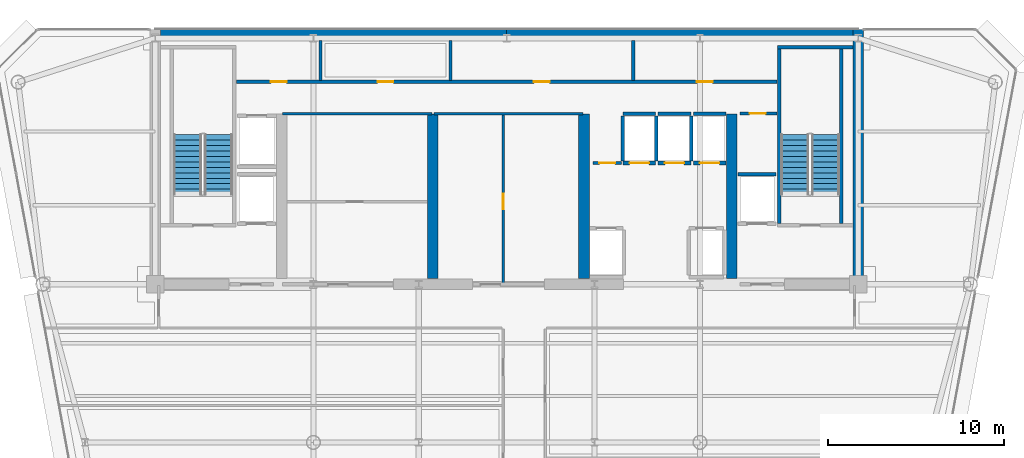
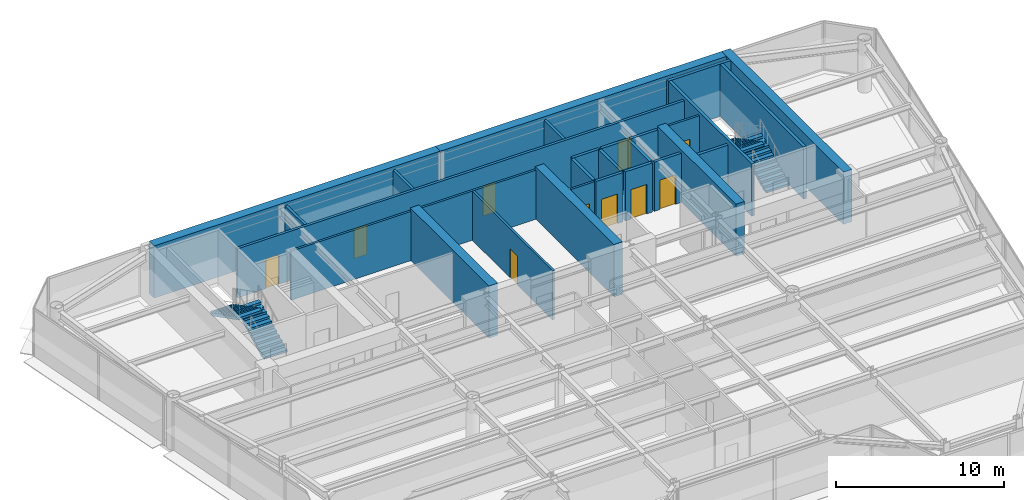
# One storey, part 12 of 16: 28 walls, 10 doors, 4 stair flights, 10 openings, 2 elements without a shape of their own.
"""IFC4 building model written with IfcOpenShell, lengths in metres."""

from ifc_helpers import new_model, si_unit, direction, frame, frame_2d, origin, place, context, subcontext, project, spatial, polyline, rectangle, outline, extrude, source, transform, mapped, material, layer, layer_set, type_object, element, fill, aggregate, save


model = new_model("IFC4")

# Units and contexts
model_context = context("Model", 3, precision=1e-05, world=origin(), true_north=direction((0.0, 1.0)))
body_context = subcontext(model_context, "Body", "Model", "MODEL_VIEW")
ifc_project = project(units=[si_unit("LENGTHUNIT", "METRE"), si_unit("AREAUNIT", "SQUARE_METRE"), si_unit("VOLUMEUNIT", "CUBIC_METRE"), si_unit("PLANEANGLEUNIT", "RADIAN"), si_unit("MASSUNIT", "GRAM", prefix="KILO")], contexts=[model_context])

# Site, building, storey
site_placement = place(None, origin())
site = spatial("IfcSite", under=ifc_project, at=site_placement, CompositionType="ELEMENT")
building_placement = place(site_placement, origin())
building = spatial("IfcBuilding", under=site, at=building_placement, Name="Vaeldorn Concourse Tower", CompositionType="ELEMENT")
storey_placement = place(building_placement, frame((0.0, 0.0, 223.199951171875)))
storey = spatial("IfcBuildingStorey", under=building, at=storey_placement, Name="L57", CompositionType="ELEMENT", Elevation=223.199951171875)

# Walls
ifc_material_1 = material(Name="Concrete C50/60", Category="concrete")
ifc_layer_1 = layer(ifc_material_1, 0.60009765625)
ifc_layer_set_1 = layer_set([ifc_layer_1], Name="Concrete C50/60")
wall_type_1 = type_object("IfcWallType", Name="WL-CORE-600", PredefinedType="SHEAR", material=ifc_layer_set_1)
for number, where, z_axis, x_axis, name in (
    (1, (14.303955078125, 50.699951171875, 0.0), (0.0, 0.0, 1.0), (1.0, 0.0, 0.0), "Rear Core Shear Wall L57 N1"),
    (2, (34.001953125, 50.699951171875, 0.0), (0.0, 0.0, 1.0), (1.0, 0.0, 0.0), "Rear Core Shear Wall L57 N2"),
):
    element("IfcWall", number, at=place(storey_placement, frame(where, z_axis=z_axis, x_axis=x_axis)), inside=storey, type_object=wall_type_1, Name=name, PredefinedType="SHEAR", context=body_context, shape_type="SweptSolid", body=[
        extrude(rectangle(XDim=19.694091796875, YDim=0.60009765625, at=frame_2d((9.84716796875, 0.0))), origin(), (0.0, 0.0, 1.0), 3.800048828125),
    ])
wall_1_placement = place(storey_placement, frame((54.0, 36.5, 0.0), z_axis=(0.0, 0.0, 1.0), x_axis=(0.0, 1.0, 0.0)))
element("IfcWall", 3, at=wall_1_placement, inside=storey, type_object=wall_type_1, Name="Rear Core Shear Wall L57 E1", PredefinedType="SHEAR", context=body_context, shape_type="SweptSolid", body=[
    extrude(rectangle(XDim=14.5, YDim=0.60009765625, at=frame_2d((7.25, 0.0))), origin(), (0.0, 0.0, 1.0), 3.800048828125),
])
for number, where, z_axis, x_axis, name in (
    (4, (29.800048828125, 36.820068359375, 0.0), (0.0, 0.0, 1.0), (0.0, 1.0, 0.0), "Rear Core Shear Wall L57 M2"),
    (5, (38.39990234375, 36.820068359375, 0.0), (0.0, 0.0, 1.0), (0.0, 1.0, 0.0), "Rear Core Shear Wall L57 M3"),
    (6, (46.800048828125, 36.820068359375, 0.0), (0.0, 0.0, 1.0), (0.0, 1.0, 0.0), "Rear Core Shear Wall L57 M4"),
):
    element("IfcWall", number, at=place(storey_placement, frame(where, z_axis=z_axis, x_axis=x_axis)), inside=storey, type_object=wall_type_1, Name=name, PredefinedType="SHEAR", context=body_context, shape_type="SweptSolid", body=[
        extrude(rectangle(XDim=9.3798828125, YDim=0.60009765625, at=frame_2d((4.68994140625, 0.0))), origin(), (0.0, 0.0, 1.0), 3.800048828125),
    ])
ifc_material_2 = material(Name="Gypsum Board Partition", Category="gypsum")
ifc_layer_2 = layer(ifc_material_2, 0.14990234375)
ifc_layer_set_2 = layer_set([ifc_layer_2], Name="Gypsum Board Partition")
wall_type_2 = type_object("IfcWallType", Name="WL-PART-150", PredefinedType="PARTITIONING", material=ifc_layer_set_2)
for number, where, z_axis, x_axis, name in (
    (7, (21.25, 46.199951171875, 0.0), (0.0, 0.0, 1.0), (1.0, 0.0, 0.0), "Interior Wall CW-L57-R1N"),
    (8, (29.85009765625, 46.199951171875, 0.0), (0.0, 0.0, 1.0), (1.0, 0.0, 0.0), "Interior Wall CW-L57-R2N"),
):
    element("IfcWall", number, at=place(storey_placement, frame(where, z_axis=z_axis, x_axis=x_axis)), inside=storey, type_object=wall_type_2, Name=name, PredefinedType="PARTITIONING", context=body_context, shape_type="SweptSolid", body=[
        extrude(rectangle(XDim=8.5, YDim=0.14990234375, at=frame_2d((4.25, 0.0))), origin(), (0.0, 0.0, 1.0), 3.580078125),
    ])

# Wall, opening, door
wall_2_placement = place(storey_placement, frame((33.800048828125, 36.56005859375, 0.0), z_axis=(0.0, 0.0, 1.0), x_axis=(0.0, 1.0, 0.0)))
wall_2 = element("IfcWall", 9, at=wall_2_placement, inside=storey, type_object=wall_type_2, Name="Interior Wall CW-L57-R2M", PredefinedType="PARTITIONING", context=body_context, shape_type="SweptSolid", body=[
    extrude(rectangle(XDim=9.579833984375, YDim=0.14990234375, at=frame_2d((4.7900390625, 0.0))), origin(), (0.0, 0.0, 1.0), 3.580078125),
])
opening_1_placement = place(wall_2_placement, frame((4.199951171875, 0.0, 0.0)))
opening_1 = element("IfcOpeningElement", 10, at=opening_1_placement, cuts=wall_2, Name="Opening D-02", PredefinedType="OPENING", context=body_context, shape_type="SweptSolid", body=[
    extrude(rectangle(XDim=0.89990234375, YDim=2.10009765625, at=frame_2d((0.449951171875, 1.050048828125))), frame((0.0, 0.0849609375, 0.0), z_axis=(0.0, -1.0, 0.0), x_axis=(1.0, 0.0, 0.0)), (0.0, 0.0, 1.0), 0.169921875),
])
ifc_material_3 = material(Name="Fire-Rated Timber Leaf", Category="wood")
door_type_1 = type_object("IfcDoorType", Name="DR-FD30-900", OperationType="NOTDEFINED", PredefinedType="DOOR", material=ifc_material_3)
shared_shape_1 = source(origin(), body_context, "Body", "SweptSolid", [
    extrude(rectangle(XDim=0.89990234375, YDim=2.10009765625, at=frame_2d((0.449951171875, 1.050048828125))), frame((0.0, 0.02490234375, 0.0), z_axis=(0.0, -1.0, 0.0), x_axis=(1.0, 0.0, 0.0)), (0.0, 0.0, 1.0), 0.050048828125),
])
door_1_placement = place(opening_1_placement, origin())
door_1 = element("IfcDoor", 11, at=door_1_placement, inside=storey, type_object=door_type_1, Name="Interior Door DR-L57-R2E", OperationType="SINGLE_SWING_RIGHT", OverallHeight=2.10009765625, OverallWidth=0.89990234375, PredefinedType="DOOR", context=body_context, shape_type="MappedRepresentation", body=[
    mapped(shared_shape_1, transform((0.0, 0.0, 0.0), scale=1.0)),
])
fill(opening_1, door_1)

wall_3_placement = place(storey_placement, frame((47.280029296875, 46.219970703125, 0.0), z_axis=(0.0, 0.0, 1.0), x_axis=(1.0, 0.0, 0.0)))
wall_3 = element("IfcWall", 12, at=wall_3_placement, inside=storey, type_object=wall_type_2, Name="Interior Wall CW-L57-CRSE-N", PredefinedType="PARTITIONING", context=body_context, shape_type="SweptSolid", body=[
    extrude(rectangle(XDim=2.099853515625, YDim=0.14990234375, at=frame_2d((1.0498046875, 0.0))), origin(), (0.0, 0.0, 1.0), 3.580078125),
])
opening_2_placement = place(wall_3_placement, frame((0.550048828125, 0.0, 0.0)))
opening_2 = element("IfcOpeningElement", 13, at=opening_2_placement, cuts=wall_3, Name="Opening D-02", PredefinedType="OPENING", context=body_context, shape_type="SweptSolid", body=[
    extrude(rectangle(XDim=0.89990234375, YDim=2.10009765625, at=frame_2d((0.449951171875, 1.050048828125))), frame((0.0, 0.0849609375, 0.0), z_axis=(0.0, -1.0, 0.0), x_axis=(1.0, 0.0, 0.0)), (0.0, 0.0, 1.0), 0.169921875),
])
door_2_placement = place(opening_2_placement, origin())
door_2 = element("IfcDoor", 14, at=door_2_placement, inside=storey, type_object=door_type_1, Name="Interior Door DR-L57-CRSE", OperationType="SINGLE_SWING_RIGHT", OverallHeight=2.10009765625, OverallWidth=0.89990234375, PredefinedType="DOOR", context=body_context, shape_type="MappedRepresentation", body=[
    mapped(shared_shape_1, transform((0.0, 0.0, 0.0), scale=1.0)),
])
fill(opening_2, door_2)

wall_4_placement = place(storey_placement, frame((38.919921875, 43.39990234375, 0.0), z_axis=(0.0, 0.0, 1.0), x_axis=(1.0, 0.0, 0.0)))
wall_4 = element("IfcWall", 15, at=wall_4_placement, inside=storey, type_object=wall_type_2, Name="Interior Wall CW-L57-CCLINK", PredefinedType="PARTITIONING", context=body_context, shape_type="SweptSolid", body=[
    extrude(rectangle(XDim=1.60009765625, YDim=0.14990234375, at=frame_2d((0.800048828125, 0.0))), origin(), (0.0, 0.0, 1.0), 3.580078125),
])
opening_3_placement = place(wall_4_placement, frame((0.35009765625, 0.0, 0.0)))
opening_3 = element("IfcOpeningElement", 16, at=opening_3_placement, cuts=wall_4, Name="Opening D-02", PredefinedType="OPENING", context=body_context, shape_type="SweptSolid", body=[
    extrude(rectangle(XDim=0.89990234375, YDim=2.10009765625, at=frame_2d((0.449951171875, 1.050048828125))), frame((0.0, 0.0849609375, 0.0), z_axis=(0.0, -1.0, 0.0), x_axis=(1.0, 0.0, 0.0)), (0.0, 0.0, 1.0), 0.169921875),
])
door_3_placement = place(opening_3_placement, origin())
door_3 = element("IfcDoor", 17, at=door_3_placement, inside=storey, type_object=door_type_1, Name="Interior Door DR-L57-CCLINK", OperationType="SINGLE_SWING_LEFT", OverallHeight=2.10009765625, OverallWidth=0.89990234375, PredefinedType="DOOR", context=body_context, shape_type="MappedRepresentation", body=[
    mapped(shared_shape_1, transform((0.0, 0.0, 0.0), scale=1.0)),
])
fill(opening_3, door_3)

# Wall, openings, doors
ifc_layer_3 = layer(ifc_material_2, 0.179931640625)
ifc_layer_set_3 = layer_set([ifc_layer_3], Name="Gypsum Board Partition")
wall_type_3 = type_object("IfcWallType", Name="WL-PLUMB-180", PredefinedType="PLUMBINGWALL", material=ifc_layer_set_3)
wall_5_placement = place(storey_placement, frame((18.6201171875, 48.02001953125, 0.0), z_axis=(0.0, 0.0, 1.0), x_axis=(1.0, 0.0, 0.0)))
wall_5 = element("IfcWall", 18, at=wall_5_placement, inside=storey, type_object=wall_type_3, Name="Interior Wall CW-L57-NS0", PredefinedType="PLUMBINGWALL", context=body_context, shape_type="SweptSolid", body=[
    extrude(rectangle(XDim=30.759765625, YDim=0.179931640625, at=frame_2d((15.3798828125, 0.0))), origin(), (0.0, 0.0, 1.0), 3.580078125),
])
opening_4_placement = place(wall_5_placement, frame((1.955078125, 0.0, 0.0)))
opening_4 = element("IfcOpeningElement", 19, at=opening_4_placement, cuts=wall_5, Name="Opening D-03", PredefinedType="OPENING", context=body_context, shape_type="SweptSolid", body=[
    extrude(rectangle(XDim=0.89990234375, YDim=2.14990234375, at=frame_2d((0.449951171875, 1.074951171875))), frame((0.0, 0.10009765625, 0.0), z_axis=(0.0, -1.0, 0.0), x_axis=(1.0, 0.0, 0.0)), (0.0, 0.0, 1.0), 0.199951171875),
])
opening_5_placement = place(wall_5_placement, frame((8.030029296875, 0.0, 0.0)))
opening_5 = element("IfcOpeningElement", 20, at=opening_5_placement, cuts=wall_5, Name="Opening D-03", PredefinedType="OPENING", context=body_context, shape_type="SweptSolid", body=[
    extrude(rectangle(XDim=0.89990234375, YDim=2.14990234375, at=frame_2d((0.449951171875, 1.074951171875))), frame((0.0, 0.10009765625, 0.0), z_axis=(0.0, -1.0, 0.0), x_axis=(1.0, 0.0, 0.0)), (0.0, 0.0, 1.0), 0.199951171875),
])
opening_6_placement = place(wall_5_placement, frame((16.929931640625, 0.0, 0.0)))
opening_6 = element("IfcOpeningElement", 21, at=opening_6_placement, cuts=wall_5, Name="Opening D-03", PredefinedType="OPENING", context=body_context, shape_type="SweptSolid", body=[
    extrude(rectangle(XDim=0.89990234375, YDim=2.14990234375, at=frame_2d((0.449951171875, 1.074951171875))), frame((0.0, 0.10009765625, 0.0), z_axis=(0.0, -1.0, 0.0), x_axis=(1.0, 0.0, 0.0)), (0.0, 0.0, 1.0), 0.199951171875),
])
opening_7_placement = place(wall_5_placement, frame((26.205078125, 0.0, 0.0)))
opening_7 = element("IfcOpeningElement", 22, at=opening_7_placement, cuts=wall_5, Name="Opening D-03", PredefinedType="OPENING", context=body_context, shape_type="SweptSolid", body=[
    extrude(rectangle(XDim=0.89990234375, YDim=2.14990234375, at=frame_2d((0.449951171875, 1.074951171875))), frame((0.0, 0.10009765625, 0.0), z_axis=(0.0, -1.0, 0.0), x_axis=(1.0, 0.0, 0.0)), (0.0, 0.0, 1.0), 0.199951171875),
])
ifc_material_4 = material(Name="Acoustic Bronze-Framed Glass Door", Category="glass")
door_type_2 = type_object("IfcDoorType", Name="DR-INT-900", OperationType="NOTDEFINED", PredefinedType="DOOR", material=ifc_material_4)
shared_shape_2 = source(origin(), body_context, "Body", "SweptSolid", [
    extrude(rectangle(XDim=0.89990234375, YDim=2.14990234375, at=frame_2d((0.449951171875, 1.074951171875))), frame((0.0, 0.02490234375, 0.0), z_axis=(0.0, -1.0, 0.0), x_axis=(1.0, 0.0, 0.0)), (0.0, 0.0, 1.0), 0.050048828125),
])
door_4_placement = place(opening_4_placement, origin())
door_4 = element("IfcDoor", 23, at=door_4_placement, inside=storey, type_object=door_type_2, Name="Interior Door DR-L57-CS1", OperationType="SINGLE_SWING_LEFT", OverallHeight=2.14990234375, OverallWidth=0.89990234375, PredefinedType="DOOR", context=body_context, shape_type="MappedRepresentation", body=[
    mapped(shared_shape_2, transform((0.0, 0.0, 0.0), scale=1.0)),
])
fill(opening_4, door_4)
door_5_placement = place(opening_5_placement, origin())
door_5 = element("IfcDoor", 24, at=door_5_placement, inside=storey, type_object=door_type_2, Name="Interior Door DR-L57-CS2", OperationType="SINGLE_SWING_RIGHT", OverallHeight=2.14990234375, OverallWidth=0.89990234375, PredefinedType="DOOR", context=body_context, shape_type="MappedRepresentation", body=[
    mapped(shared_shape_2, transform((0.0, 0.0, 0.0), scale=1.0)),
])
fill(opening_5, door_5)
door_6_placement = place(opening_6_placement, origin())
door_6 = element("IfcDoor", 25, at=door_6_placement, inside=storey, type_object=door_type_2, Name="Interior Door DR-L57-CS3", OperationType="SINGLE_SWING_LEFT", OverallHeight=2.14990234375, OverallWidth=0.89990234375, PredefinedType="DOOR", context=body_context, shape_type="MappedRepresentation", body=[
    mapped(shared_shape_2, transform((0.0, 0.0, 0.0), scale=1.0)),
])
fill(opening_6, door_6)
door_7_placement = place(opening_7_placement, origin())
door_7 = element("IfcDoor", 26, at=door_7_placement, inside=storey, type_object=door_type_2, Name="Interior Door DR-L57-CS4", OperationType="SINGLE_SWING_RIGHT", OverallHeight=2.14990234375, OverallWidth=0.89990234375, PredefinedType="DOOR", context=body_context, shape_type="MappedRepresentation", body=[
    mapped(shared_shape_2, transform((0.0, 0.0, 0.0), scale=1.0)),
])
fill(opening_7, door_7)

# Walls
for number, where, z_axis, x_axis, name in (
    (27, (23.39990234375, 48.10009765625, 0.0), (0.0, 0.0, 1.0), (0.0, 1.0, 0.0), "Interior Wall CW-L57-NDIV1"),
    (28, (30.800048828125, 48.10009765625, 0.0), (0.0, 0.0, 1.0), (0.0, 1.0, 0.0), "Interior Wall CW-L57-NDIV2"),
    (29, (41.199951171875, 48.10009765625, 0.0), (0.0, 0.0, 1.0), (0.0, 1.0, 0.0), "Interior Wall CW-L57-NDIV3"),
):
    element("IfcWall", number, at=place(storey_placement, frame(where, z_axis=z_axis, x_axis=x_axis)), inside=storey, type_object=wall_type_3, Name=name, PredefinedType="PLUMBINGWALL", context=body_context, shape_type="SweptSolid", body=[
        extrude(rectangle(XDim=2.27978515625, YDim=0.179931640625, at=frame_2d((1.139892578125, 0.0))), origin(), (0.0, 0.0, 1.0), 3.580078125),
    ])
ifc_layer_4 = layer(ifc_material_1, 0.199951171875)
ifc_layer_set_4 = layer_set([ifc_layer_4], Name="Concrete C50/60")
wall_type_4 = type_object("IfcWallType", Name="WL-SHAFT-200", PredefinedType="SOLIDWALL", material=ifc_layer_set_4)
wall_6_placement = place(storey_placement, frame((49.39990234375, 50.0, 0.0), z_axis=(0.0, 0.0, 1.0), x_axis=(1.0, 0.0, 0.0)))
element("IfcWall", 30, at=wall_6_placement, inside=storey, type_object=wall_type_4, Name="Stair Shaft Wall CW-L57-ST-2-N", PredefinedType="SOLIDWALL", context=body_context, shape_type="SweptSolid", body=[
    extrude(rectangle(XDim=4.300048828125, YDim=0.199951171875, at=frame_2d((2.14990234375, 0.0))), origin(), (0.0, 0.0, 1.0), 3.800048828125),
])
for number, where, z_axis, x_axis, name in (
    (31, (49.5, 39.9599609375, 0.0), (0.0, 0.0, 1.0), (0.0, 1.0, 0.0), "Stair Shaft Wall CW-L57-ST-2-W"),
    (32, (53.050048828125, 39.9599609375, 0.0), (0.0, 0.0, 1.0), (0.0, 1.0, 0.0), "Stair Shaft Wall CW-L57-ST-2-E"),
):
    element("IfcWall", number, at=place(storey_placement, frame(where, z_axis=z_axis, x_axis=x_axis)), inside=storey, type_object=wall_type_4, Name=name, PredefinedType="SOLIDWALL", context=body_context, shape_type="SweptSolid", body=[
        extrude(rectangle(XDim=9.929931640625, YDim=0.199951171875, at=frame_2d((4.96484375, 0.0))), origin(), (0.0, 0.0, 1.0), 3.800048828125),
    ])

# Wall, opening, door
wall_7_placement = place(storey_placement, frame((40.6201171875, 43.39990234375, 0.0), z_axis=(0.0, 0.0, 1.0), x_axis=(1.0, 0.0, 0.0)))
wall_7 = element("IfcWall", 33, at=wall_7_placement, inside=storey, type_object=wall_type_4, Name="Interior Wall CW-L57-LF-LF-15", PredefinedType="SOLIDWALL", context=body_context, shape_type="SweptSolid", body=[
    extrude(rectangle(XDim=1.85986328125, YDim=0.199951171875, at=frame_2d((0.929931640625, 0.0))), origin(), (0.0, 0.0, 1.0), 3.580078125),
])
opening_8_placement = place(wall_7_placement, frame((0.3798828125, 0.0, 0.0)))
opening_8 = element("IfcOpeningElement", 34, at=opening_8_placement, cuts=wall_7, Name="Opening LD-1", PredefinedType="OPENING", context=body_context, shape_type="SweptSolid", body=[
    extrude(rectangle(XDim=1.10009765625, YDim=2.14990234375, at=frame_2d((0.550048828125, 1.074951171875))), frame((0.0, 0.10986328125, 0.0), z_axis=(0.0, -1.0, 0.0), x_axis=(1.0, 0.0, 0.0)), (0.0, 0.0, 1.0), 0.219970703125),
])
ifc_material_5 = material(Name="Anodised Bronze Aluminium", Category="aluminium")
door_type_3 = type_object("IfcDoorType", Name="DR-LIFT-SLIDE-1100", OperationType="DOUBLE_DOOR_SLIDING", PredefinedType="DOOR", material=ifc_material_5)
shared_shape_3 = source(origin(), body_context, "Body", "SweptSolid", [
    extrude(rectangle(XDim=1.10009765625, YDim=2.14990234375, at=frame_2d((0.550048828125, 1.074951171875))), frame((0.0, 0.02490234375, 0.0), z_axis=(0.0, -1.0, 0.0), x_axis=(1.0, 0.0, 0.0)), (0.0, 0.0, 1.0), 0.050048828125),
])
door_8_placement = place(opening_8_placement, origin())
door_8 = element("IfcDoor", 35, at=door_8_placement, inside=storey, type_object=door_type_3, Name="Lift Landing Door LD-L57-LF-15", OperationType="DOUBLE_DOOR_SLIDING", OverallHeight=2.14990234375, OverallWidth=1.10009765625, PredefinedType="DOOR", context=body_context, shape_type="MappedRepresentation", body=[
    mapped(shared_shape_3, transform((0.0, 0.0, 0.0), scale=1.0)),
])
fill(opening_8, door_8)

# Walls
wall_8_placement = place(storey_placement, frame((40.6201171875, 46.199951171875, 0.0), z_axis=(0.0, 0.0, 1.0), x_axis=(1.0, 0.0, 0.0)))
element("IfcWall", 36, at=wall_8_placement, inside=storey, type_object=wall_type_4, Name="Interior Wall CW-L57-LFB-LF-15", PredefinedType="SOLIDWALL", context=body_context, shape_type="SweptSolid", body=[
    extrude(rectangle(XDim=1.85986328125, YDim=0.199951171875, at=frame_2d((0.929931640625, 0.0))), origin(), (0.0, 0.0, 1.0), 3.580078125),
])
for number, where, z_axis, x_axis, name in (
    (37, (40.60009765625, 43.52001953125, 0.0), (0.0, 0.0, 1.0), (0.0, 1.0, 0.0), "Interior Wall CW-L57-LFW-LF-15"),
    (38, (42.5, 43.52001953125, 0.0), (0.0, 0.0, 1.0), (0.0, 1.0, 0.0), "Interior Wall CW-L57-LFE-LF-15"),
):
    element("IfcWall", number, at=place(storey_placement, frame(where, z_axis=z_axis, x_axis=x_axis)), inside=storey, type_object=wall_type_4, Name=name, PredefinedType="SOLIDWALL", context=body_context, shape_type="SweptSolid", body=[
        extrude(rectangle(XDim=2.56005859375, YDim=0.199951171875, at=frame_2d((1.280029296875, 0.0))), origin(), (0.0, 0.0, 1.0), 3.580078125),
    ])

# Wall, opening, door
wall_9_placement = place(storey_placement, frame((42.6201171875, 43.39990234375, 0.0), z_axis=(0.0, 0.0, 1.0), x_axis=(1.0, 0.0, 0.0)))
wall_9 = element("IfcWall", 39, at=wall_9_placement, inside=storey, type_object=wall_type_4, Name="Interior Wall CW-L57-LF-LF-16", PredefinedType="SOLIDWALL", context=body_context, shape_type="SweptSolid", body=[
    extrude(rectangle(XDim=1.85986328125, YDim=0.199951171875, at=frame_2d((0.929931640625, 0.0))), origin(), (0.0, 0.0, 1.0), 3.580078125),
])
opening_9_placement = place(wall_9_placement, frame((0.3798828125, 0.0, 0.0)))
opening_9 = element("IfcOpeningElement", 40, at=opening_9_placement, cuts=wall_9, Name="Opening LD-1", PredefinedType="OPENING", context=body_context, shape_type="SweptSolid", body=[
    extrude(rectangle(XDim=1.10009765625, YDim=2.14990234375, at=frame_2d((0.550048828125, 1.074951171875))), frame((0.0, 0.10986328125, 0.0), z_axis=(0.0, -1.0, 0.0), x_axis=(1.0, 0.0, 0.0)), (0.0, 0.0, 1.0), 0.219970703125),
])
door_9_placement = place(opening_9_placement, origin())
door_9 = element("IfcDoor", 41, at=door_9_placement, inside=storey, type_object=door_type_3, Name="Lift Landing Door LD-L57-LF-16", OperationType="DOUBLE_DOOR_SLIDING", OverallHeight=2.14990234375, OverallWidth=1.10009765625, PredefinedType="DOOR", context=body_context, shape_type="MappedRepresentation", body=[
    mapped(shared_shape_3, transform((0.0, 0.0, 0.0), scale=1.0)),
])
fill(opening_9, door_9)

# Walls
wall_10_placement = place(storey_placement, frame((42.6201171875, 46.199951171875, 0.0), z_axis=(0.0, 0.0, 1.0), x_axis=(1.0, 0.0, 0.0)))
element("IfcWall", 42, at=wall_10_placement, inside=storey, type_object=wall_type_4, Name="Interior Wall CW-L57-LFB-LF-16", PredefinedType="SOLIDWALL", context=body_context, shape_type="SweptSolid", body=[
    extrude(rectangle(XDim=1.85986328125, YDim=0.199951171875, at=frame_2d((0.929931640625, 0.0))), origin(), (0.0, 0.0, 1.0), 3.580078125),
])
wall_11_placement = place(storey_placement, frame((44.5, 43.52001953125, 0.0), z_axis=(0.0, 0.0, 1.0), x_axis=(0.0, 1.0, 0.0)))
element("IfcWall", 43, at=wall_11_placement, inside=storey, type_object=wall_type_4, Name="Interior Wall CW-L57-LFE-LF-16", PredefinedType="SOLIDWALL", context=body_context, shape_type="SweptSolid", body=[
    extrude(rectangle(XDim=2.56005859375, YDim=0.199951171875, at=frame_2d((1.280029296875, 0.0))), origin(), (0.0, 0.0, 1.0), 3.580078125),
])

# Wall, opening, door
wall_12_placement = place(storey_placement, frame((44.6201171875, 43.39990234375, 0.0), z_axis=(0.0, 0.0, 1.0), x_axis=(1.0, 0.0, 0.0)))
wall_12 = element("IfcWall", 44, at=wall_12_placement, inside=storey, type_object=wall_type_4, Name="Interior Wall CW-L57-LF-LF-17", PredefinedType="SOLIDWALL", context=body_context, shape_type="SweptSolid", body=[
    extrude(rectangle(XDim=1.85986328125, YDim=0.199951171875, at=frame_2d((0.929931640625, 0.0))), origin(), (0.0, 0.0, 1.0), 3.580078125),
])
opening_10_placement = place(wall_12_placement, frame((0.3798828125, 0.0, 0.0)))
opening_10 = element("IfcOpeningElement", 45, at=opening_10_placement, cuts=wall_12, Name="Opening LD-1", PredefinedType="OPENING", context=body_context, shape_type="SweptSolid", body=[
    extrude(rectangle(XDim=1.10009765625, YDim=2.14990234375, at=frame_2d((0.550048828125, 1.074951171875))), frame((0.0, 0.10986328125, 0.0), z_axis=(0.0, -1.0, 0.0), x_axis=(1.0, 0.0, 0.0)), (0.0, 0.0, 1.0), 0.219970703125),
])
door_10_placement = place(opening_10_placement, origin())
door_10 = element("IfcDoor", 46, at=door_10_placement, inside=storey, type_object=door_type_3, Name="Lift Landing Door LD-L57-LF-17", OperationType="DOUBLE_DOOR_SLIDING", OverallHeight=2.14990234375, OverallWidth=1.10009765625, PredefinedType="DOOR", context=body_context, shape_type="MappedRepresentation", body=[
    mapped(shared_shape_3, transform((0.0, 0.0, 0.0), scale=1.0)),
])
fill(opening_10, door_10)

# Walls
wall_13_placement = place(storey_placement, frame((44.6201171875, 46.199951171875, 0.0), z_axis=(0.0, 0.0, 1.0), x_axis=(1.0, 0.0, 0.0)))
element("IfcWall", 47, at=wall_13_placement, inside=storey, type_object=wall_type_4, Name="Interior Wall CW-L57-LFB-LF-17", PredefinedType="SOLIDWALL", context=body_context, shape_type="SweptSolid", body=[
    extrude(rectangle(XDim=1.85986328125, YDim=0.199951171875, at=frame_2d((0.929931640625, 0.0))), origin(), (0.0, 0.0, 1.0), 3.580078125),
])
wall_14_placement = place(storey_placement, frame((47.169921875, 42.75, 0.0), z_axis=(0.0, 0.0, 1.0), x_axis=(1.0, 0.0, 0.0)))
element("IfcWall", 48, at=wall_14_placement, inside=storey, type_object=wall_type_4, Name="Interior Wall CW-L57-LFB-LF-FF2", PredefinedType="SOLIDWALL", context=body_context, shape_type="SweptSolid", body=[
    extrude(rectangle(XDim=2.16015625, YDim=0.199951171875, at=frame_2d((1.080078125, 0.0))), origin(), (0.0, 0.0, 1.0), 3.580078125),
])

# Stair, stair flights
ifc_material_6 = material(Name="Precast concrete C40/50", Category="concrete")
stair_type = type_object("IfcStairType", Name="STR-DOG-24x158", PredefinedType="HALF_TURN_STAIR", material=ifc_material_6)
stair_1_placement = place(storey_placement, origin())
stair_1 = element("IfcStair", 49, at=stair_1_placement, inside=storey, type_object=stair_type, Name="L57 West Core Exit Stair ST-1", PredefinedType="HALF_TURN_STAIR")
stair_flight_type = type_object("IfcStairFlightType", Name="STF-STR-12x158", PredefinedType="STRAIGHT", material=ifc_material_6)
stair_flight_1_placement = place(storey_placement, frame((17.60009765625, 41.60009765625, 0.0), z_axis=(0.0, 0.0, 1.0), x_axis=(0.0, 1.0, 0.0)))
stair_flight_1 = element("IfcStairFlight", 50, at=stair_flight_1_placement, type_object=stair_flight_type, Name="ST-1 flight 1", NumberOfRisers=12, NumberOfTreads=11, PredefinedType="STRAIGHT", RiserHeight=0.158333333, TreadLength=0.31, context=body_context, shape_type="SweptSolid", body=[
    extrude(outline(polyline([(0.0, 0.0), (0.0, 0.158447265625), (0.31005859375, 0.158447265625), (0.31005859375, 0.316650390625), (0.6201171875, 0.316650390625), (0.6201171875, 0.47509765625), (0.929931640625, 0.47509765625), (0.929931640625, 0.63330078125), (1.239990234375, 0.63330078125), (1.239990234375, 0.791748046875), (1.550048828125, 0.791748046875), (1.550048828125, 0.949951171875), (1.860107421875, 0.949951171875), (1.860107421875, 1.1083984375), (2.169921875, 1.1083984375), (2.169921875, 1.2666015625), (2.47998046875, 1.2666015625), (2.47998046875, 1.425048828125), (2.7900390625, 1.425048828125), (2.7900390625, 1.583251953125), (3.10009765625, 1.583251953125), (3.10009765625, 1.74169921875), (3.409912109375, 1.74169921875), (3.409912109375, 1.89990234375), (3.409912109375, 1.5732421875), (0.32958984375, 0.0), (0.0, 0.0)])), frame((0.0, 0.800048828125, 0.0), z_axis=(0.0, -1.0, 0.0), x_axis=(1.0, 0.0, 0.0)), (0.0, 0.0, 1.0), 1.60009765625),
])
stair_flight_2_placement = place(storey_placement, frame((15.85009765625, 45.010009765625, 1.900146484375), z_axis=(0.0, 0.0, 1.0), x_axis=(0.0, -1.0, 0.0)))
stair_flight_2 = element("IfcStairFlight", 51, at=stair_flight_2_placement, type_object=stair_flight_type, Name="ST-1 flight 2", NumberOfRisers=12, NumberOfTreads=11, PredefinedType="STRAIGHT", RiserHeight=0.158333333, TreadLength=0.31, context=body_context, shape_type="SweptSolid", body=[
    extrude(outline(polyline([(0.0, 0.0), (0.0, 0.158447265625), (0.31005859375, 0.158447265625), (0.31005859375, 0.316650390625), (0.6201171875, 0.316650390625), (0.6201171875, 0.47509765625), (0.929931640625, 0.47509765625), (0.929931640625, 0.63330078125), (1.239990234375, 0.63330078125), (1.239990234375, 0.791748046875), (1.550048828125, 0.791748046875), (1.550048828125, 0.949951171875), (1.860107421875, 0.949951171875), (1.860107421875, 1.1083984375), (2.169921875, 1.1083984375), (2.169921875, 1.2666015625), (2.47998046875, 1.2666015625), (2.47998046875, 1.425048828125), (2.7900390625, 1.425048828125), (2.7900390625, 1.583251953125), (3.10009765625, 1.583251953125), (3.10009765625, 1.74169921875), (3.409912109375, 1.74169921875), (3.409912109375, 1.89990234375), (3.409912109375, 1.5732421875), (0.32958984375, 0.0), (0.0, 0.0)])), frame((0.0, 0.800048828125, 0.0), z_axis=(0.0, -1.0, 0.0), x_axis=(1.0, 0.0, 0.0)), (0.0, 0.0, 1.0), 1.60009765625),
])
aggregate(stair_1, [stair_flight_1, stair_flight_2])

stair_2_placement = place(storey_placement, origin())
stair_2 = element("IfcStair", 52, at=stair_2_placement, inside=storey, type_object=stair_type, Name="L57 East Core Exit Stair ST-2", PredefinedType="HALF_TURN_STAIR")
stair_flight_3_placement = place(storey_placement, frame((52.14990234375, 41.60009765625, 0.0), z_axis=(0.0, 0.0, 1.0), x_axis=(0.0, 1.0, 0.0)))
stair_flight_3 = element("IfcStairFlight", 53, at=stair_flight_3_placement, type_object=stair_flight_type, Name="ST-2 flight 1", NumberOfRisers=12, NumberOfTreads=11, PredefinedType="STRAIGHT", RiserHeight=0.158333333, TreadLength=0.31, context=body_context, shape_type="SweptSolid", body=[
    extrude(outline(polyline([(0.0, 0.0), (0.0, 0.158447265625), (0.31005859375, 0.158447265625), (0.31005859375, 0.316650390625), (0.6201171875, 0.316650390625), (0.6201171875, 0.47509765625), (0.929931640625, 0.47509765625), (0.929931640625, 0.63330078125), (1.239990234375, 0.63330078125), (1.239990234375, 0.791748046875), (1.550048828125, 0.791748046875), (1.550048828125, 0.949951171875), (1.860107421875, 0.949951171875), (1.860107421875, 1.1083984375), (2.169921875, 1.1083984375), (2.169921875, 1.2666015625), (2.47998046875, 1.2666015625), (2.47998046875, 1.425048828125), (2.7900390625, 1.425048828125), (2.7900390625, 1.583251953125), (3.10009765625, 1.583251953125), (3.10009765625, 1.74169921875), (3.409912109375, 1.74169921875), (3.409912109375, 1.89990234375), (3.409912109375, 1.5732421875), (0.32958984375, 0.0), (0.0, 0.0)])), frame((0.0, 0.800048828125, 0.0), z_axis=(0.0, -1.0, 0.0), x_axis=(1.0, 0.0, 0.0)), (0.0, 0.0, 1.0), 1.60009765625),
])
stair_flight_4_placement = place(storey_placement, frame((50.39990234375, 45.010009765625, 1.900146484375), z_axis=(0.0, 0.0, 1.0), x_axis=(0.0, -1.0, 0.0)))
stair_flight_4 = element("IfcStairFlight", 54, at=stair_flight_4_placement, type_object=stair_flight_type, Name="ST-2 flight 2", NumberOfRisers=12, NumberOfTreads=11, PredefinedType="STRAIGHT", RiserHeight=0.158333333, TreadLength=0.31, context=body_context, shape_type="SweptSolid", body=[
    extrude(outline(polyline([(0.0, 0.0), (0.0, 0.158447265625), (0.31005859375, 0.158447265625), (0.31005859375, 0.316650390625), (0.6201171875, 0.316650390625), (0.6201171875, 0.47509765625), (0.929931640625, 0.47509765625), (0.929931640625, 0.63330078125), (1.239990234375, 0.63330078125), (1.239990234375, 0.791748046875), (1.550048828125, 0.791748046875), (1.550048828125, 0.949951171875), (1.860107421875, 0.949951171875), (1.860107421875, 1.1083984375), (2.169921875, 1.1083984375), (2.169921875, 1.2666015625), (2.47998046875, 1.2666015625), (2.47998046875, 1.425048828125), (2.7900390625, 1.425048828125), (2.7900390625, 1.583251953125), (3.10009765625, 1.583251953125), (3.10009765625, 1.74169921875), (3.409912109375, 1.74169921875), (3.409912109375, 1.89990234375), (3.409912109375, 1.5732421875), (0.32958984375, 0.0), (0.0, 0.0)])), frame((0.0, 0.800048828125, 0.0), z_axis=(0.0, -1.0, 0.0), x_axis=(1.0, 0.0, 0.0)), (0.0, 0.0, 1.0), 1.60009765625),
])
aggregate(stair_2, [stair_flight_3, stair_flight_4])

save(model, "model.ifc")
